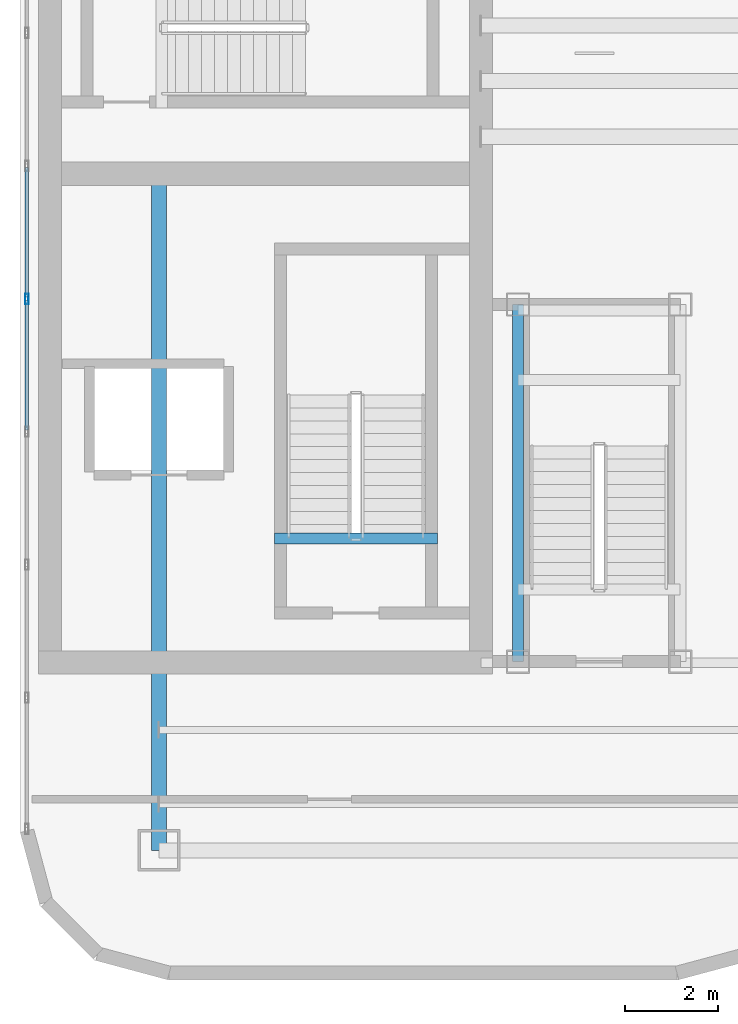
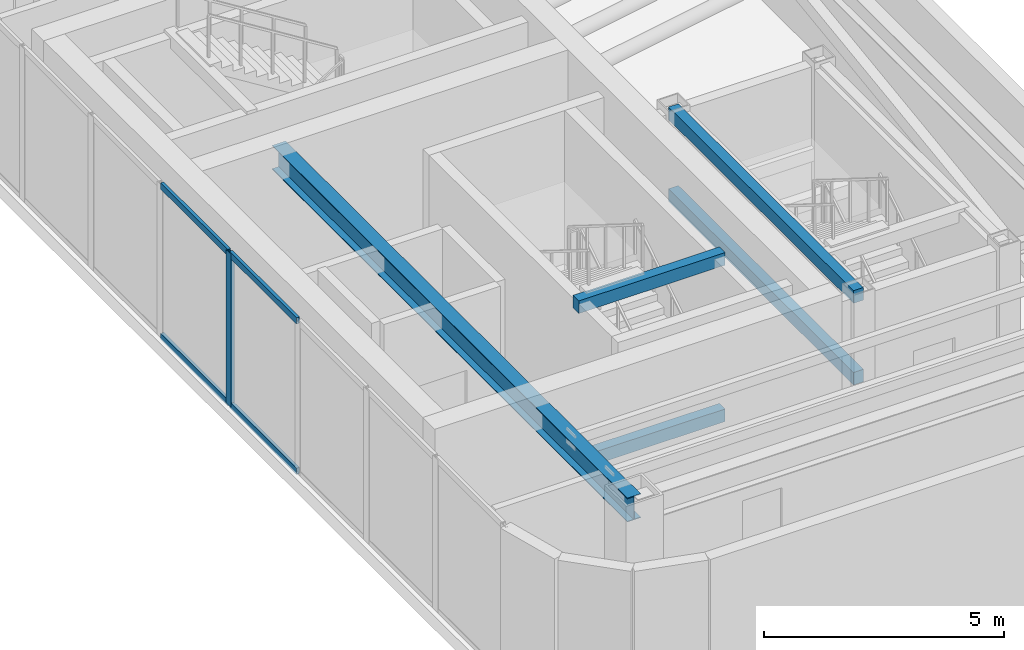
# One storey, part 3 of 9: 5 beams, 5 members, 1 element without a shape of its own.
"""IFC4 building model written with IfcOpenShell, lengths in metres."""

from ifc_helpers import new_model, si_unit, direction, frame, origin, origin_2d, place, context, subcontext, project, spatial, rectangle, hollow_rectangle, i_section, extrude, material, layer, layer_set, material_profile, profile_set, type_object, element, aggregate, save


model = new_model("IFC4")

# Units and contexts
model_context = context("Model", 3, precision=1e-05, world=origin(), true_north=direction((0.0, 1.0)))
body_context = subcontext(model_context, "Body", "Model", "MODEL_VIEW")
ifc_project = project(units=[si_unit("LENGTHUNIT", "METRE"), si_unit("AREAUNIT", "SQUARE_METRE"), si_unit("VOLUMEUNIT", "CUBIC_METRE"), si_unit("PLANEANGLEUNIT", "RADIAN"), si_unit("MASSUNIT", "GRAM", prefix="KILO")], contexts=[model_context])

# Site, building, storey
site_placement = place(None, origin())
site = spatial("IfcSite", under=ifc_project, at=site_placement, CompositionType="ELEMENT")
building_placement = place(site_placement, origin())
building = spatial("IfcBuilding", under=site, at=building_placement, Name="Kiyonajd Concourse Tower", CompositionType="ELEMENT")
storey_placement = place(building_placement, frame((0.0, 0.0, 372.89990234375)))
storey = spatial("IfcBuildingStorey", under=building, at=storey_placement, Name="L93", CompositionType="ELEMENT", Elevation=372.89990234375)

# Beams
ifc_material_1 = material(Name="Concrete C50/60", Category="concrete")
ifc_material_profile_1 = material_profile(ifc_material_1, rectangle(XDim=0.239990234375, YDim=0.320068359375, at=origin_2d()), Name="RCBM-240x320")
ifc_profile_set_1 = profile_set([ifc_material_profile_1], Name="Concrete C50/60")
beam_type_1 = type_object("IfcBeamType", Name="BM-LNT-250", PredefinedType="LINTEL", material=ifc_profile_set_1)
beam_1_placement = place(storey_placement, frame((58.889892578125, 30.530029296875, -0.159912109375), z_axis=(1.0, 0.0, 0.0), x_axis=(0.0, 1.0, 0.0)))
element("IfcBeam", 1, at=beam_1_placement, inside=storey, type_object=beam_type_1, Name="L93 Stair ST2 Threshold Support Beam", PredefinedType="LINTEL", context=body_context, shape_type="SweptSolid", body=[
    extrude(rectangle(XDim=0.239990234375, YDim=0.320068359375, at=origin_2d()), origin(), (0.0, 0.0, 1.0), 3.52001953125),
])
beam_2_placement = place(storey_placement, frame((64.14990234375, 27.8701171875, 1.739990234375), z_axis=(0.0, 1.0, 0.0), x_axis=(-1.0, 0.0, 0.0)))
element("IfcBeam", 2, at=beam_2_placement, inside=storey, type_object=beam_type_1, Name="L93 Stair ST6 Side Stringer Beam", PredefinedType="LINTEL", context=body_context, shape_type="SweptSolid", body=[
    extrude(rectangle(XDim=0.239990234375, YDim=0.320068359375, at=origin_2d()), origin(), (0.0, 0.0, 1.0), 7.7099609375),
])
beam_3_placement = place(storey_placement, frame((58.889892578125, 30.530029296875, 3.820068359375), z_axis=(1.0, 0.0, 0.0), x_axis=(0.0, 1.0, 0.0)))
element("IfcBeam", 3, at=beam_3_placement, inside=storey, type_object=beam_type_1, Name="ROOF Stair ST2 Threshold Support Beam", PredefinedType="LINTEL", context=body_context, shape_type="SweptSolid", body=[
    extrude(rectangle(XDim=0.239990234375, YDim=0.320068359375, at=origin_2d()), origin(), (0.0, 0.0, 1.0), 3.52001953125),
])
beam_4_placement = place(storey_placement, frame((64.14990234375, 27.8701171875, 3.820068359375), z_axis=(0.0, 1.0, 0.0), x_axis=(-1.0, 0.0, 0.0)))
element("IfcBeam", 4, at=beam_4_placement, inside=storey, type_object=beam_type_1, Name="L93 Stair ST6 Roof Rim Beam TOP-W", PredefinedType="LINTEL", context=body_context, shape_type="SweptSolid", body=[
    extrude(rectangle(XDim=0.239990234375, YDim=0.320068359375, at=origin_2d()), origin(), (0.0, 0.0, 1.0), 7.7099609375),
])
ifc_material_2 = material(Name="Steel ASTM A992 Grade 50", Category="steel")
ifc_material_profile_2 = material_profile(ifc_material_2, i_section(OverallWidth=0.323974609375, OverallDepth=0.611083984375, WebThickness=0.0126953125, FlangeThickness=0.01904296875, at=origin_2d()), Name="W610X155")
ifc_profile_set_2 = profile_set([ifc_material_profile_2], Name="Steel ASTM A992 Grade 50")
beam_type_2 = type_object("IfcBeamType", Name="BM-TWR-610B", PredefinedType="BEAM", material=ifc_profile_set_2)
beam_5_placement = place(storey_placement, frame((56.39990234375, 23.800048828125, 3.594482421875), z_axis=(0.0, 1.0, 0.0), x_axis=(-1.0, 0.0, 0.0)))
element("IfcBeam", 5, at=beam_5_placement, inside=storey, type_object=beam_type_2, Name="L93 E Crown Ring Beam 4S", PredefinedType="BEAM", context=body_context, shape_type="SweptSolid", body=[
    extrude(i_section(OverallWidth=0.323974609375, OverallDepth=0.611083984375, WebThickness=0.0126953125, FlangeThickness=0.01904296875, at=origin_2d()), origin(), (0.0, 0.0, 1.0), 14.800048828125),
])

# Curtain wall, members
ifc_material_3 = material(Name="Thermally Broken Anodised Aluminium", Category="aluminium")
ifc_layer = layer(ifc_material_3, 0.179931640625)
ifc_layer_set = layer_set([ifc_layer], Name="Thermally Broken Anodised Aluminium")
curtain_wall_type = type_object("IfcCurtainWallType", Name="CW-SYS-06", PredefinedType="NOTDEFINED", material=ifc_layer_set)
curtain_wall_placement = place(storey_placement, origin())
curtain_wall = element("IfcCurtainWall", 6, at=curtain_wall_placement, inside=storey, type_object=curtain_wall_type, Name="L93 Unitised Curtain Wall CW6", PredefinedType="NOTDEFINED")
ifc_material_profile_3 = material_profile(ifc_material_3, hollow_rectangle(XDim=0.074951171875, YDim=0.219970703125, WallThickness=0.0048828125, at=origin_2d()), Name="MULL-75x220")
ifc_profile_set_3 = profile_set([ifc_material_profile_3], Name="Thermally Broken Anodised Aluminium")
member_type_1 = type_object("IfcMemberType", Name="MB-CW-MULL2", PredefinedType="MULLION", material=ifc_profile_set_3)
member_1_placement = place(storey_placement, frame((53.550048828125, 35.699951171875, 0.0), z_axis=(0.0, 0.0, 1.0), x_axis=(-1.0, 0.0, 0.0)))
member_1 = element("IfcMember", 7, at=member_1_placement, type_object=member_type_1, Name="CW6 mullion 5", PredefinedType="MULLION", context=body_context, shape_type="SweptSolid", body=[
    extrude(hollow_rectangle(XDim=0.074951171875, YDim=0.219970703125, WallThickness=0.0048828125, at=origin_2d()), origin(), (0.0, 0.0, 1.0), 3.900146484375),
])
ifc_material_profile_4 = material_profile(ifc_material_3, hollow_rectangle(XDim=0.074951171875, YDim=0.159912109375, WallThickness=0.0048828125, at=origin_2d()), Name="TRAN-75x160")
ifc_profile_set_4 = profile_set([ifc_material_profile_4], Name="Thermally Broken Anodised Aluminium")
member_type_2 = type_object("IfcMemberType", Name="MB-CW-TRAN2", PredefinedType="USERDEFINED", material=ifc_profile_set_4)
member_2_placement = place(storey_placement, frame((53.550048828125, 32.867431640625, 0.03759765625), z_axis=(0.0, 1.0, 0.0), x_axis=(-1.0, 0.0, 0.0)))
member_2 = element("IfcMember", 8, at=member_2_placement, type_object=member_type_2, Name="CW6 transom 4.1", ObjectType="TRANSOM", PredefinedType="USERDEFINED", context=body_context, shape_type="SweptSolid", body=[
    extrude(hollow_rectangle(XDim=0.074951171875, YDim=0.159912109375, WallThickness=0.0048828125, at=origin_2d()), origin(), (0.0, 0.0, 1.0), 2.795166015625),
])
member_3_placement = place(storey_placement, frame((53.550048828125, 32.867431640625, 3.862548828125), z_axis=(0.0, 1.0, 0.0), x_axis=(-1.0, 0.0, 0.0)))
member_3 = element("IfcMember", 9, at=member_3_placement, type_object=member_type_2, Name="CW6 transom 4.2", ObjectType="TRANSOM", PredefinedType="USERDEFINED", context=body_context, shape_type="SweptSolid", body=[
    extrude(hollow_rectangle(XDim=0.074951171875, YDim=0.159912109375, WallThickness=0.0048828125, at=origin_2d()), origin(), (0.0, 0.0, 1.0), 2.795166015625),
])
member_4_placement = place(storey_placement, frame((53.550048828125, 35.737548828125, 0.03759765625), z_axis=(0.0, 1.0, 0.0), x_axis=(-1.0, 0.0, 0.0)))
member_4 = element("IfcMember", 10, at=member_4_placement, type_object=member_type_2, Name="CW6 transom 5.1", ObjectType="TRANSOM", PredefinedType="USERDEFINED", context=body_context, shape_type="SweptSolid", body=[
    extrude(hollow_rectangle(XDim=0.074951171875, YDim=0.159912109375, WallThickness=0.0048828125, at=origin_2d()), origin(), (0.0, 0.0, 1.0), 2.794921875),
])
member_5_placement = place(storey_placement, frame((53.550048828125, 35.737548828125, 3.862548828125), z_axis=(0.0, 1.0, 0.0), x_axis=(-1.0, 0.0, 0.0)))
member_5 = element("IfcMember", 11, at=member_5_placement, type_object=member_type_2, Name="CW6 transom 5.2", ObjectType="TRANSOM", PredefinedType="USERDEFINED", context=body_context, shape_type="SweptSolid", body=[
    extrude(hollow_rectangle(XDim=0.074951171875, YDim=0.159912109375, WallThickness=0.0048828125, at=origin_2d()), origin(), (0.0, 0.0, 1.0), 2.794921875),
])
aggregate(curtain_wall, [member_1, member_2, member_3, member_4, member_5])

save(model, "model.ifc")
